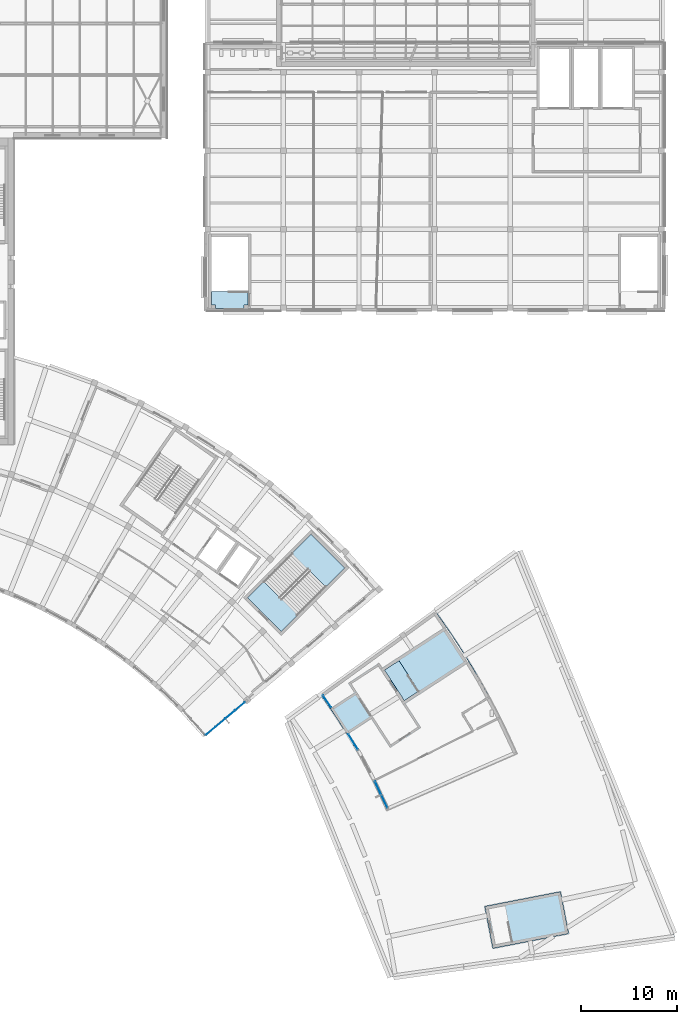
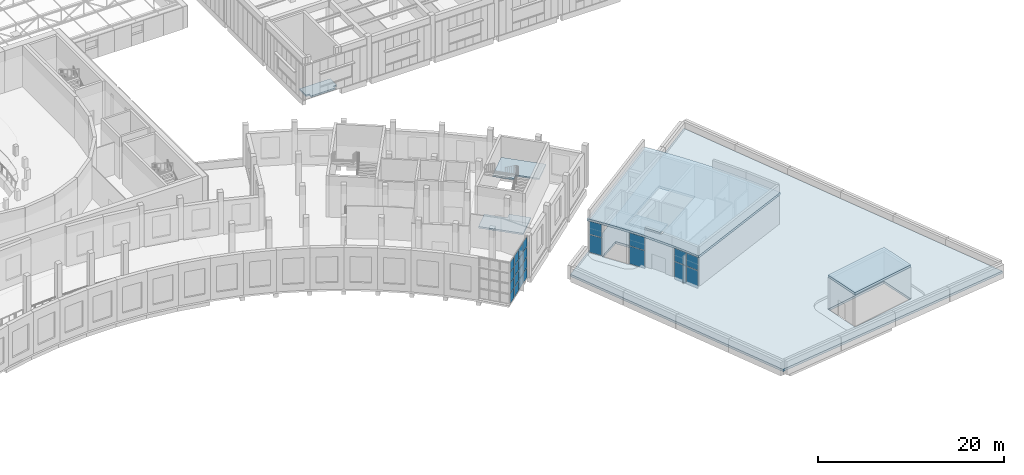
# One storey, part 66 of 132: 24 plates, 7 slabs, 5 elements without a shape of their own.
"""IFC4 building model written with IfcOpenShell, lengths in metres."""

from ifc_helpers import new_model, si_unit, direction, frame, origin, origin_2d, place, context, subcontext, project, spatial, polyline, rectangle, outline, extrude, material, layer, layer_set, type_object, element, aggregate, save


model = new_model("IFC4")

# Units and contexts
model_context = context("Model", 3, precision=1e-05, world=origin(), true_north=direction((0.0, 1.0)))
body_context = subcontext(model_context, "Body", "Model", "MODEL_VIEW")
ifc_project = project(units=[si_unit("LENGTHUNIT", "METRE"), si_unit("AREAUNIT", "SQUARE_METRE"), si_unit("VOLUMEUNIT", "CUBIC_METRE"), si_unit("PLANEANGLEUNIT", "RADIAN"), si_unit("MASSUNIT", "GRAM", prefix="KILO")], contexts=[model_context])

# Site, building, storey
site_placement = place(None, origin())
site = spatial("IfcSite", under=ifc_project, at=site_placement, CompositionType="ELEMENT")
building_placement = place(site_placement, origin())
building = spatial("IfcBuilding", under=site, at=building_placement, Name="Lunette Opera House", CompositionType="ELEMENT")
storey_placement = place(building_placement, frame((0.0, 0.0, 17.0)))
storey = spatial("IfcBuildingStorey", under=building, at=storey_placement, Name="L03", CompositionType="ELEMENT", Elevation=17.0)

# Slabs
ifc_material_1 = material(Name="Concrete C35/45", Category="concrete")
ifc_layer_1 = layer(ifc_material_1, 0.199951171875)
ifc_layer_set_1 = layer_set([ifc_layer_1], Name="Concrete C35/45")
slab_type_1 = type_object("IfcSlabType", Name="CORE LANDING SLAB 200", PredefinedType="LANDING", material=ifc_layer_set_1)
slab_1_placement = place(storey_placement, frame((0.0, 0.0, -0.199951171875)))
element("IfcSlab", 1, at=slab_1_placement, inside=storey, type_object=slab_type_1, Name="ST18 floor landing", PredefinedType="LANDING", context=body_context, shape_type="SweptSolid", body=[
    extrude(outline(polyline([(136.699951171875, 78.199951171875), (136.699951171875, 80.0), (140.5, 80.0), (140.5, 78.60009765625), (140.10009765625, 78.60009765625), (140.10009765625, 78.199951171875), (137.10009765625, 78.199951171875), (137.10009765625, 78.60009765625), (136.699951171875, 78.60009765625), (136.699951171875, 78.199951171875)])), origin(), (0.0, 0.0, 1.0), 0.199951171875),
])
ifc_material_2 = material(Name="Concrete C35/45", Category="concrete")
ifc_layer_2 = layer(ifc_material_2, 0.219970703125)
ifc_layer_set_2 = layer_set([ifc_layer_2], Name="Concrete C35/45")
slab_type_2 = type_object("IfcSlabType", Name="CORE LANDING SLAB 220", PredefinedType="LANDING", material=ifc_layer_set_2)
slab_2_placement = place(storey_placement, frame((0.0, 0.0, -0.219970703125)))
element("IfcSlab", 2, at=slab_2_placement, inside=storey, type_object=slab_type_2, Name="ST21 floor landing", PredefinedType="LANDING", context=body_context, shape_type="SweptSolid", body=[
    extrude(outline(polyline([(158.341064453125, 38.218994140625), (156.83203125, 37.239013671875), (154.761962890625, 40.426025390625), (156.280029296875, 41.412109375), (157.260009765625, 39.902099609375), (157.251953125, 39.89697265625), (158.341064453125, 38.218994140625)])), origin(), (0.0, 0.0, 1.0), 0.219970703125),
])
slab_3_placement = place(storey_placement, frame((0.0, 0.0, -0.219970703125)))
element("IfcSlab", 3, at=slab_3_placement, inside=storey, type_object=slab_type_2, Name="ST4 floor landing", PredefinedType="LANDING", context=body_context, shape_type="SweptSolid", body=[
    extrude(outline(polyline([(140.44091796875, 47.97705078125), (142.14501953125, 49.680908203125), (143.842041015625, 47.98388671875), (143.8349609375, 47.97705078125), (143.97705078125, 47.8349609375), (144.471923828125, 48.330078125), (146.1689453125, 46.633056640625), (143.97705078125, 44.44091796875), (140.44091796875, 47.97705078125)])), origin(), (0.0, 0.0, 1.0), 0.219970703125),
])

# Curtain wall, plates
ifc_material_3 = material(Name="Aluminium", Category="aluminium")
ifc_layer_3 = layer(ifc_material_3, 0.159912109375)
ifc_layer_set_3 = layer_set([ifc_layer_3], Name="Aluminium")
curtain_wall_type_1 = type_object("IfcCurtainWallType", Name="CORNER CURTAIN WALL", PredefinedType="NOTDEFINED", material=ifc_layer_set_3)
curtain_wall_1_placement = place(storey_placement, origin())
curtain_wall_1 = element("IfcCurtainWall", 4, at=curtain_wall_1_placement, inside=storey, type_object=curtain_wall_type_1, Name="Corner Curtain Wall GC-E2 L03", PredefinedType="NOTDEFINED")
ifc_material_4 = material(Name="Laminated glass", Category="glass")
ifc_layer_4 = layer(ifc_material_4, 0.028076171875)
ifc_layer_set_4 = layer_set([ifc_layer_4], Name="Laminated glass")
plate_type = type_object("IfcPlateType", Name="CURTAIN PANEL LAMINATED GLASS 28", PredefinedType="CURTAIN_PANEL", material=ifc_layer_set_4)
plate_1_placement = place(storey_placement, frame((136.592529296875, 34.0615234375, 0.06005859375), z_axis=(0.0, 0.0, 1.0), x_axis=(0.766000309852, 0.642840201999, 0.0)))
plate_1 = element("IfcPlate", 5, at=plate_1_placement, type_object=plate_type, Name="FC-X2178 panel 1.1", PredefinedType="CURTAIN_PANEL", context=body_context, shape_type="SweptSolid", body=[
    extrude(rectangle(XDim=1.259765625, YDim=0.028076171875, at=origin_2d()), origin(), (0.0, 0.0, 1.0), 1.284912109375),
])
plate_2_placement = place(storey_placement, frame((136.592529296875, 34.0615234375, 1.405029296875), z_axis=(0.0, 0.0, 1.0), x_axis=(0.766000309852, 0.642840201999, 0.0)))
plate_2 = element("IfcPlate", 6, at=plate_2_placement, type_object=plate_type, Name="FC-X2178 panel 1.2", PredefinedType="CURTAIN_PANEL", context=body_context, shape_type="SweptSolid", body=[
    extrude(rectangle(XDim=1.259765625, YDim=0.028076171875, at=origin_2d()), origin(), (0.0, 0.0, 1.0), 1.31494140625),
])
plate_3_placement = place(storey_placement, frame((136.592529296875, 34.0615234375, 2.780029296875), z_axis=(0.0, 0.0, 1.0), x_axis=(0.766000309852, 0.642840201999, 0.0)))
plate_3 = element("IfcPlate", 7, at=plate_3_placement, type_object=plate_type, Name="FC-X2178 panel 1.3", PredefinedType="CURTAIN_PANEL", context=body_context, shape_type="SweptSolid", body=[
    extrude(rectangle(XDim=1.259765625, YDim=0.028076171875, at=origin_2d()), origin(), (0.0, 0.0, 1.0), 1.31494140625),
])
plate_4_placement = place(storey_placement, frame((136.592529296875, 34.0615234375, 4.1552734375), z_axis=(0.0, 0.0, 1.0), x_axis=(0.766000309852, 0.642840201999, 0.0)))
plate_4 = element("IfcPlate", 8, at=plate_4_placement, type_object=plate_type, Name="FC-X2178 panel 1.4", PredefinedType="CURTAIN_PANEL", context=body_context, shape_type="SweptSolid", body=[
    extrude(rectangle(XDim=1.259765625, YDim=0.028076171875, at=origin_2d()), origin(), (0.0, 0.0, 1.0), 1.284912109375),
])
plate_5_placement = place(storey_placement, frame((137.614990234375, 34.919677734375, 0.06005859375), z_axis=(0.0, 0.0, 1.0), x_axis=(0.766000309852, 0.642840201999, 0.0)))
plate_5 = element("IfcPlate", 9, at=plate_5_placement, type_object=plate_type, Name="FC-X2178 panel 2.1", PredefinedType="CURTAIN_PANEL", context=body_context, shape_type="SweptSolid", body=[
    extrude(rectangle(XDim=1.289794921875, YDim=0.028076171875, at=origin_2d()), origin(), (0.0, 0.0, 1.0), 1.284912109375),
])
plate_6_placement = place(storey_placement, frame((137.614990234375, 34.919677734375, 1.405029296875), z_axis=(0.0, 0.0, 1.0), x_axis=(0.766000309852, 0.642840201999, 0.0)))
plate_6 = element("IfcPlate", 10, at=plate_6_placement, type_object=plate_type, Name="FC-X2178 panel 2.2", PredefinedType="CURTAIN_PANEL", context=body_context, shape_type="SweptSolid", body=[
    extrude(rectangle(XDim=1.289794921875, YDim=0.028076171875, at=origin_2d()), origin(), (0.0, 0.0, 1.0), 1.31494140625),
])
plate_7_placement = place(storey_placement, frame((137.614990234375, 34.919677734375, 2.780029296875), z_axis=(0.0, 0.0, 1.0), x_axis=(0.766000309852, 0.642840201999, 0.0)))
plate_7 = element("IfcPlate", 11, at=plate_7_placement, type_object=plate_type, Name="FC-X2178 panel 2.3", PredefinedType="CURTAIN_PANEL", context=body_context, shape_type="SweptSolid", body=[
    extrude(rectangle(XDim=1.289794921875, YDim=0.028076171875, at=origin_2d()), origin(), (0.0, 0.0, 1.0), 1.31494140625),
])
plate_8_placement = place(storey_placement, frame((137.614990234375, 34.919677734375, 4.1552734375), z_axis=(0.0, 0.0, 1.0), x_axis=(0.766000309852, 0.642840201999, 0.0)))
plate_8 = element("IfcPlate", 12, at=plate_8_placement, type_object=plate_type, Name="FC-X2178 panel 2.4", PredefinedType="CURTAIN_PANEL", context=body_context, shape_type="SweptSolid", body=[
    extrude(rectangle(XDim=1.289794921875, YDim=0.028076171875, at=origin_2d()), origin(), (0.0, 0.0, 1.0), 1.284912109375),
])
plate_9_placement = place(storey_placement, frame((138.64892578125, 35.787353515625, 0.06005859375), z_axis=(0.0, 0.0, 1.0), x_axis=(0.766000309852, 0.642840201999, 0.0)))
plate_9 = element("IfcPlate", 13, at=plate_9_placement, type_object=plate_type, Name="FC-X2178 panel 3.1", PredefinedType="CURTAIN_PANEL", context=body_context, shape_type="SweptSolid", body=[
    extrude(rectangle(XDim=1.289794921875, YDim=0.028076171875, at=origin_2d()), origin(), (0.0, 0.0, 1.0), 1.284912109375),
])
plate_10_placement = place(storey_placement, frame((138.64892578125, 35.787353515625, 1.405029296875), z_axis=(0.0, 0.0, 1.0), x_axis=(0.766000309852, 0.642840201999, 0.0)))
plate_10 = element("IfcPlate", 14, at=plate_10_placement, type_object=plate_type, Name="FC-X2178 panel 3.2", PredefinedType="CURTAIN_PANEL", context=body_context, shape_type="SweptSolid", body=[
    extrude(rectangle(XDim=1.289794921875, YDim=0.028076171875, at=origin_2d()), origin(), (0.0, 0.0, 1.0), 1.31494140625),
])
plate_11_placement = place(storey_placement, frame((138.64892578125, 35.787353515625, 2.780029296875), z_axis=(0.0, 0.0, 1.0), x_axis=(0.766000309852, 0.642840201999, 0.0)))
plate_11 = element("IfcPlate", 15, at=plate_11_placement, type_object=plate_type, Name="FC-X2178 panel 3.3", PredefinedType="CURTAIN_PANEL", context=body_context, shape_type="SweptSolid", body=[
    extrude(rectangle(XDim=1.289794921875, YDim=0.028076171875, at=origin_2d()), origin(), (0.0, 0.0, 1.0), 1.31494140625),
])
plate_12_placement = place(storey_placement, frame((138.64892578125, 35.787353515625, 4.1552734375), z_axis=(0.0, 0.0, 1.0), x_axis=(0.766000309852, 0.642840201999, 0.0)))
plate_12 = element("IfcPlate", 16, at=plate_12_placement, type_object=plate_type, Name="FC-X2178 panel 3.4", PredefinedType="CURTAIN_PANEL", context=body_context, shape_type="SweptSolid", body=[
    extrude(rectangle(XDim=1.289794921875, YDim=0.028076171875, at=origin_2d()), origin(), (0.0, 0.0, 1.0), 1.284912109375),
])
plate_13_placement = place(storey_placement, frame((139.671630859375, 36.6455078125, 0.06005859375), z_axis=(0.0, 0.0, 1.0), x_axis=(0.766000309852, 0.642840201999, 0.0)))
plate_13 = element("IfcPlate", 17, at=plate_13_placement, type_object=plate_type, Name="FC-X2178 panel 4.1", PredefinedType="CURTAIN_PANEL", context=body_context, shape_type="SweptSolid", body=[
    extrude(rectangle(XDim=1.259765625, YDim=0.028076171875, at=origin_2d()), origin(), (0.0, 0.0, 1.0), 1.284912109375),
])
plate_14_placement = place(storey_placement, frame((139.671630859375, 36.6455078125, 1.405029296875), z_axis=(0.0, 0.0, 1.0), x_axis=(0.766000309852, 0.642840201999, 0.0)))
plate_14 = element("IfcPlate", 18, at=plate_14_placement, type_object=plate_type, Name="FC-X2178 panel 4.2", PredefinedType="CURTAIN_PANEL", context=body_context, shape_type="SweptSolid", body=[
    extrude(rectangle(XDim=1.259765625, YDim=0.028076171875, at=origin_2d()), origin(), (0.0, 0.0, 1.0), 1.31494140625),
])
plate_15_placement = place(storey_placement, frame((139.671630859375, 36.6455078125, 2.780029296875), z_axis=(0.0, 0.0, 1.0), x_axis=(0.766000309852, 0.642840201999, 0.0)))
plate_15 = element("IfcPlate", 19, at=plate_15_placement, type_object=plate_type, Name="FC-X2178 panel 4.3", PredefinedType="CURTAIN_PANEL", context=body_context, shape_type="SweptSolid", body=[
    extrude(rectangle(XDim=1.259765625, YDim=0.028076171875, at=origin_2d()), origin(), (0.0, 0.0, 1.0), 1.31494140625),
])
plate_16_placement = place(storey_placement, frame((139.671630859375, 36.6455078125, 4.1552734375), z_axis=(0.0, 0.0, 1.0), x_axis=(0.766000309852, 0.642840201999, 0.0)))
plate_16 = element("IfcPlate", 20, at=plate_16_placement, type_object=plate_type, Name="FC-X2178 panel 4.4", PredefinedType="CURTAIN_PANEL", context=body_context, shape_type="SweptSolid", body=[
    extrude(rectangle(XDim=1.259765625, YDim=0.028076171875, at=origin_2d()), origin(), (0.0, 0.0, 1.0), 1.284912109375),
])
aggregate(curtain_wall_1, [plate_1, plate_2, plate_3, plate_4, plate_5, plate_6, plate_7, plate_8, plate_9, plate_10, plate_11, plate_12, plate_13, plate_14, plate_15, plate_16])

ifc_material_5 = material(Name="Aluminium", Category="aluminium")
ifc_layer_5 = layer(ifc_material_5, 0.179931640625)
ifc_layer_set_5 = layer_set([ifc_layer_5], Name="Aluminium")
curtain_wall_type_2 = type_object("IfcCurtainWallType", Name="SUN FACE CURTAIN WALL", PredefinedType="NOTDEFINED", material=ifc_layer_set_5)
curtain_wall_2_placement = place(storey_placement, origin())
curtain_wall_2 = element("IfcCurtainWall", 21, at=curtain_wall_2_placement, inside=storey, type_object=curtain_wall_type_2, Name="Sun Face Curtain Wall PAV3 L03", PredefinedType="NOTDEFINED")
plate_17_placement = place(storey_placement, frame((148.763427734375, 37.155517578125, 0.06005859375), z_axis=(0.0, 0.0, 1.0), x_axis=(0.565129583772, -0.825002153661, 0.0)))
plate_17 = element("IfcPlate", 22, at=plate_17_placement, type_object=plate_type, Name="SB-X2019 panel 1.1", PredefinedType="CURTAIN_PANEL", context=body_context, shape_type="SweptSolid", body=[
    extrude(rectangle(XDim=1.488525390625, YDim=0.028076171875, at=origin_2d()), origin(), (0.0, 0.0, 1.0), 2.31005859375),
])
plate_18_placement = place(storey_placement, frame((148.763427734375, 37.155517578125, 2.429931640625), z_axis=(0.0, 0.0, 1.0), x_axis=(0.565129583772, -0.825002153661, 0.0)))
plate_18 = element("IfcPlate", 23, at=plate_18_placement, type_object=plate_type, Name="SB-X2019 panel 1.2", PredefinedType="CURTAIN_PANEL", context=body_context, shape_type="SweptSolid", body=[
    extrude(rectangle(XDim=1.488525390625, YDim=0.028076171875, at=origin_2d()), origin(), (0.0, 0.0, 1.0), 1.7099609375),
])
aggregate(curtain_wall_2, [plate_17, plate_18])

curtain_wall_3_placement = place(storey_placement, origin())
curtain_wall_3 = element("IfcCurtainWall", 24, at=curtain_wall_3_placement, inside=storey, type_object=curtain_wall_type_2, Name="Sun Face Curtain Wall PAV4 L03", PredefinedType="NOTDEFINED")
plate_19_placement = place(storey_placement, frame((151.498046875, 32.927001953125, 0.06005859375), z_axis=(0.0, 0.0, 1.0), x_axis=(0.520266775066, -0.85400379552, 0.0)))
plate_19 = element("IfcPlate", 25, at=plate_19_placement, type_object=plate_type, Name="SB-X2020 panel 1.1", PredefinedType="CURTAIN_PANEL", context=body_context, shape_type="SweptSolid", body=[
    extrude(rectangle(XDim=1.863525390625, YDim=0.028076171875, at=origin_2d()), origin(), (0.0, 0.0, 1.0), 2.31005859375),
])
plate_20_placement = place(storey_placement, frame((151.498046875, 32.927001953125, 2.429931640625), z_axis=(0.0, 0.0, 1.0), x_axis=(0.520266775066, -0.85400379552, 0.0)))
plate_20 = element("IfcPlate", 26, at=plate_20_placement, type_object=plate_type, Name="SB-X2020 panel 1.2", PredefinedType="CURTAIN_PANEL", context=body_context, shape_type="SweptSolid", body=[
    extrude(rectangle(XDim=1.863525390625, YDim=0.028076171875, at=origin_2d()), origin(), (0.0, 0.0, 1.0), 1.7099609375),
])
aggregate(curtain_wall_3, [plate_19, plate_20])

curtain_wall_4_placement = place(storey_placement, origin())
curtain_wall_4 = element("IfcCurtainWall", 27, at=curtain_wall_4_placement, inside=storey, type_object=curtain_wall_type_2, Name="Sun Face Curtain Wall PAV6 L03", PredefinedType="NOTDEFINED")
plate_21_placement = place(storey_placement, frame((154.08837890625, 28.107421875, 0.06005859375), z_axis=(0.0, 0.0, 1.0), x_axis=(0.425797036322, -0.904818702205, 0.0)))
plate_21 = element("IfcPlate", 28, at=plate_21_placement, type_object=plate_type, Name="SB-X2021 panel 1.1", PredefinedType="CURTAIN_PANEL", context=body_context, shape_type="SweptSolid", body=[
    extrude(rectangle(XDim=1.48828125, YDim=0.028076171875, at=origin_2d()), origin(), (0.0, 0.0, 1.0), 2.31005859375),
])
plate_22_placement = place(storey_placement, frame((154.08837890625, 28.107421875, 2.429931640625), z_axis=(0.0, 0.0, 1.0), x_axis=(0.425797036322, -0.904818702205, 0.0)))
plate_22 = element("IfcPlate", 29, at=plate_22_placement, type_object=plate_type, Name="SB-X2021 panel 1.2", PredefinedType="CURTAIN_PANEL", context=body_context, shape_type="SweptSolid", body=[
    extrude(rectangle(XDim=1.48828125, YDim=0.028076171875, at=origin_2d()), origin(), (0.0, 0.0, 1.0), 1.7099609375),
])
plate_23_placement = place(storey_placement, frame((154.74755859375, 26.70654296875, 0.06005859375), z_axis=(0.0, 0.0, 1.0), x_axis=(0.425797036322, -0.904818702205, 0.0)))
plate_23 = element("IfcPlate", 30, at=plate_23_placement, type_object=plate_type, Name="SB-X2021 panel 2.1", PredefinedType="CURTAIN_PANEL", context=body_context, shape_type="SweptSolid", body=[
    extrude(rectangle(XDim=1.48828125, YDim=0.028076171875, at=origin_2d()), origin(), (0.0, 0.0, 1.0), 2.31005859375),
])
plate_24_placement = place(storey_placement, frame((154.74755859375, 26.70654296875, 2.429931640625), z_axis=(0.0, 0.0, 1.0), x_axis=(0.425797036322, -0.904818702205, 0.0)))
plate_24 = element("IfcPlate", 31, at=plate_24_placement, type_object=plate_type, Name="SB-X2021 panel 2.2", PredefinedType="CURTAIN_PANEL", context=body_context, shape_type="SweptSolid", body=[
    extrude(rectangle(XDim=1.48828125, YDim=0.028076171875, at=origin_2d()), origin(), (0.0, 0.0, 1.0), 1.7099609375),
])
aggregate(curtain_wall_4, [plate_21, plate_22, plate_23, plate_24])

# Slabs
ifc_material_6 = material(Name="Concrete C35/45", Category="concrete")
ifc_layer_6 = layer(ifc_material_6, 0.300048828125)
ifc_layer_set_6 = layer_set([ifc_layer_6], Name="Concrete C35/45")
slab_type_3 = type_object("IfcSlabType", Name="ROOF SLAB 300", PredefinedType="ROOF", material=ifc_layer_set_6)
slab_4_placement = place(storey_placement, frame((0.0, 0.0, -0.300048828125)))
element("IfcSlab", 32, at=slab_4_placement, inside=storey, type_object=slab_type_3, Name="slab-SB-L03-R1", PredefinedType="ROOF", context=body_context, shape_type="SweptSolid", body=[
    extrude(outline(polyline([(185.1240234375, 12.52587890625), (168.81201171875, 52.90087890625), (144.541015625, 35.26708984375), (155.416015625, 8.35009765625), (185.1240234375, 12.52587890625)]), holes=[polyline([(165.27587890625, 15.70703125), (173.12890625, 17.23291015625), (173.968017578125, 12.9140625), (166.114990234375, 11.387939453125), (165.27587890625, 15.70703125)]), polyline([(151.822998046875, 38.158935546875), (153.56591796875, 35.47607421875), (150.882080078125, 33.73291015625), (149.138916015625, 36.4169921875), (151.822998046875, 38.158935546875)]), polyline([(161.056884765625, 44.8720703125), (163.452880859375, 41.180908203125), (156.743896484375, 36.823974609375), (154.346923828125, 40.513916015625), (161.056884765625, 44.8720703125)])]), origin(), (0.0, 0.0, 1.0), 0.300048828125),
])
slab_5_placement = place(storey_placement, frame((0.0, 0.0, 4.199951171875)))
element("IfcSlab", 33, at=slab_5_placement, inside=storey, type_object=slab_type_3, Name="slab-SB-L03-PR1", PredefinedType="ROOF", context=body_context, shape_type="SweptSolid", body=[
    extrude(outline(polyline([(160.073974609375, 46.552978515625), (148.10107421875, 37.85302734375), (148.77490234375, 36.907958984375), (149.431884765625, 35.949951171875), (150.072021484375, 34.97998046875), (150.694091796875, 34.0), (151.298095703125, 33.008056640625), (151.884033203125, 32.0048828125), (152.451904296875, 30.991943359375), (153.001953125, 29.968994140625), (153.532958984375, 28.93603515625), (154.0458984375, 27.89404296875), (154.5390625, 26.843017578125), (155.013916015625, 25.781982421875), (168.575927734375, 31.7080078125), (167.991943359375, 33.010986328125), (167.385009765625, 34.303955078125), (166.7548828125, 35.5859375), (166.10205078125, 36.85595703125), (165.426025390625, 38.114990234375), (164.72705078125, 39.360107421875), (164.006103515625, 40.593017578125), (163.262939453125, 41.81298828125), (162.498046875, 43.01904296875), (161.7109375, 44.2119140625), (160.903076171875, 45.389892578125), (160.073974609375, 46.552978515625)])), origin(), (0.0, 0.0, 1.0), 0.300048828125),
])
slab_6_placement = place(storey_placement, frame((0.0, 0.0, 4.199951171875)))
element("IfcSlab", 34, at=slab_6_placement, inside=storey, type_object=slab_type_3, Name="slab-SB-L03-PR2", PredefinedType="ROOF", context=body_context, shape_type="SweptSolid", body=[
    extrude(outline(polyline([(165.27587890625, 15.70703125), (166.114990234375, 11.387939453125), (173.968017578125, 12.9140625), (173.12890625, 17.23291015625), (165.27587890625, 15.70703125)])), origin(), (0.0, 0.0, 1.0), 0.300048828125),
])

# Stair, slab
ifc_material_7 = material(Name="Concrete C35/45", Category="concrete")
stair_type = type_object("IfcStairType", Name="DOGLEG STAIR 2400", PredefinedType="HALF_TURN_STAIR", material=ifc_material_7)
stair_placement = place(storey_placement, origin())
stair = element("IfcStair", 35, at=stair_placement, inside=storey, type_object=stair_type, Name="L03 stair ST4", PredefinedType="HALF_TURN_STAIR")
ifc_material_8 = material(Name="Concrete C35/45", Category="concrete")
ifc_layer_7 = layer(ifc_material_8, 0.199951171875)
ifc_layer_set_7 = layer_set([ifc_layer_7], Name="Concrete C35/45")
slab_type_4 = type_object("IfcSlabType", Name="STAIR LANDING SLAB 200", PredefinedType="LANDING", material=ifc_layer_set_7)
slab_7_placement = place(storey_placement, frame((0.0, 0.0, 2.550048828125)))
slab_7 = element("IfcSlab", 36, at=slab_7_placement, type_object=slab_type_4, Name="ST4 landing 1", PredefinedType="LANDING", context=body_context, shape_type="SweptSolid", body=[
    extrude(outline(polyline([(148.636962890625, 49.10107421875), (146.93994140625, 50.798095703125), (146.947021484375, 50.804931640625), (146.804931640625, 50.947021484375), (146.31005859375, 50.451904296875), (144.613037109375, 52.14892578125), (147.087890625, 54.6240234375), (150.6240234375, 51.087890625), (148.636962890625, 49.10107421875)])), origin(), (0.0, 0.0, 1.0), 0.199951171875),
])
aggregate(stair, [slab_7])

save(model, "model.ifc")
